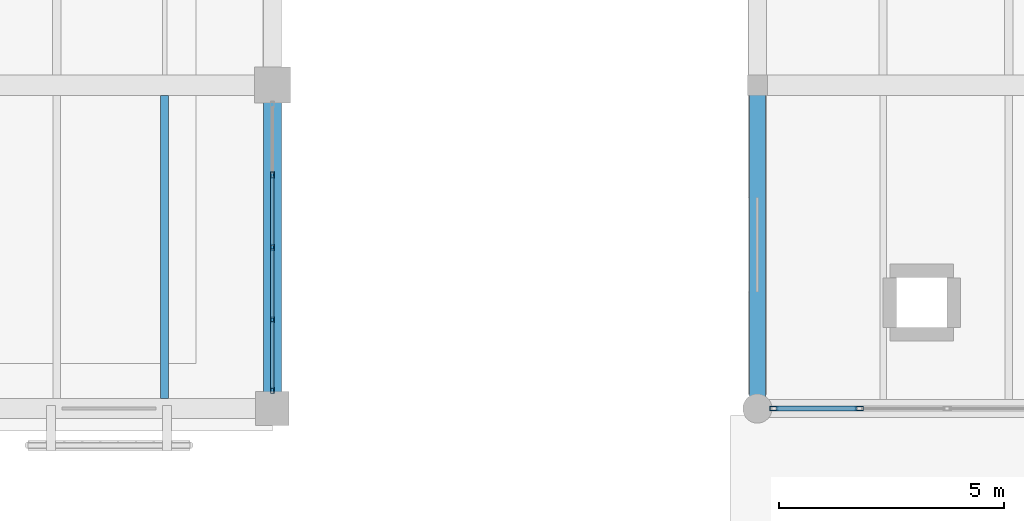
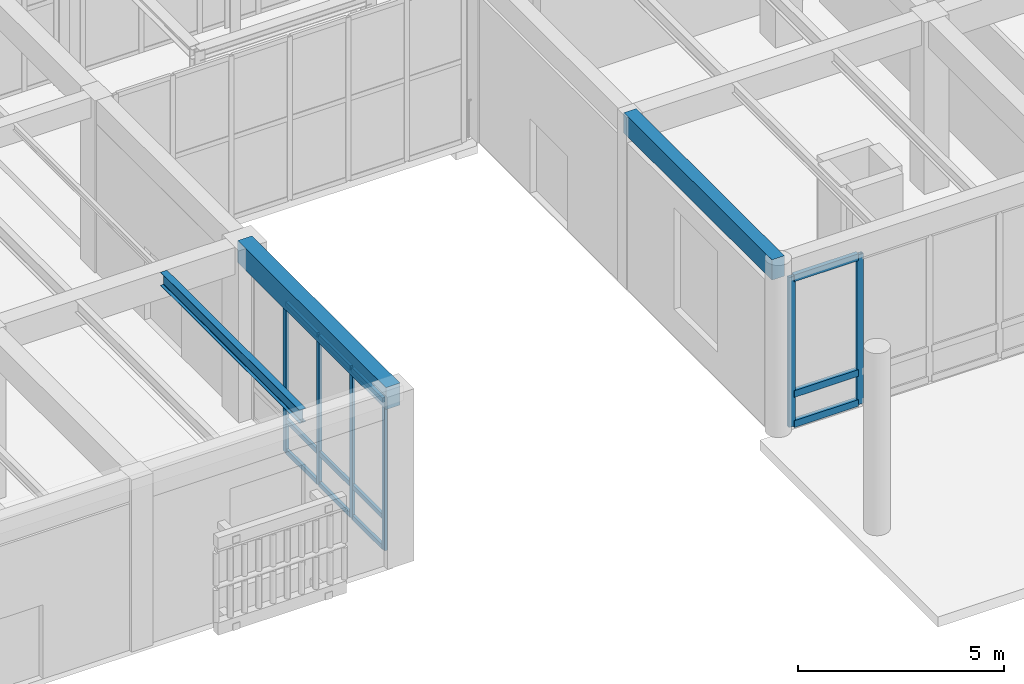
# One storey, part 19 of 169: 18 members, 3 beams, 2 elements without a shape of their own.
"""IFC4 building model written with IfcOpenShell, lengths in metres."""

import ifcopenshell
import ifcopenshell.guid

model = None  # the IFC model being written
_history = None  # IfcOwnerHistory: only IFC2X3 demands one
_inside = {}  # id of a spatial element -> (the spatial element, [elements in it])
_under = {}  # id of a project, library or spatial element -> (it, [spatial elements below it])
_declared = {}  # id of a project -> (the project, [libraries it declares])
_typed = {}  # id of a type object -> (the type object, [elements of that type])
_made_of = {}  # id of a material, layer set ... -> (it, [elements and type objects made of it])


def new_model(schema):
    """Start an empty IFC model of exactly this schema.

    Asked for "IFC4X3", IfcOpenShell would pick the latest addendum, in which some entities
    have other attributes; the version numbers below select the first issue.
    IFC2X3 requires an IfcOwnerHistory on every rooted entity: one is made here for all.
    """
    global model, _history
    if schema == "IFC4X3":
        model = ifcopenshell.file(schema_version=(4, 3, 0, 0))
    else:
        model = ifcopenshell.file(schema=schema)
    _inside.clear()
    _under.clear()
    _declared.clear()
    _typed.clear()
    _made_of.clear()
    _history = None
    if model.schema == "IFC2X3":
        org = make("IfcOrganization", Name="unknown")
        user = make(
            "IfcPersonAndOrganization",
            ThePerson=make("IfcPerson", FamilyName="unknown"),
            TheOrganization=org,
        )
        app = make(
            "IfcApplication",
            ApplicationDeveloper=org,
            Version="unknown",
            ApplicationFullName="unknown",
            ApplicationIdentifier="unknown",
        )
        _history = make(
            "IfcOwnerHistory",
            OwningUser=user,
            OwningApplication=app,
            ChangeAction="ADDED",
            CreationDate=0,
        )
    return model


def make(cls, **values):
    """One entity of the class cls with the attributes given. An attribute that is None is left unset."""
    return model.create_entity(
        cls, **{name: value for name, value in values.items() if value is not None}
    )


def rooted(cls, **values):
    """An entity with a GlobalId (a new one), such as an element, a storey or a relation."""
    return make(cls, GlobalId=ifcopenshell.guid.new(), OwnerHistory=_history, **values)


def si_unit(unit_type, name, prefix=None):
    """IfcSIUnit, for example si_unit("LENGTHUNIT", "METRE", prefix="MILLI")."""
    return make("IfcSIUnit", UnitType=unit_type, Prefix=prefix, Name=name)


def assignment(units):
    """IfcUnitAssignment: the units of a project."""
    return None if units is None else make("IfcUnitAssignment", Units=units)


def point(xyz):
    """IfcCartesianPoint."""
    return None if xyz is None else make("IfcCartesianPoint", Coordinates=xyz)


def direction(xyz):
    """IfcDirection."""
    return None if xyz is None else make("IfcDirection", DirectionRatios=xyz)


def frame(location, z_axis=None, x_axis=None):
    """IfcAxis2Placement3D, a coordinate frame: its origin and axes. An axis left out is left unset."""
    return make(
        "IfcAxis2Placement3D",
        Location=point(location),
        Axis=direction(z_axis),
        RefDirection=direction(x_axis),
    )


def frame_2d(location, x_axis=None):
    """IfcAxis2Placement2D, a coordinate frame in the plane: its origin and x axis."""
    return make(
        "IfcAxis2Placement2D", Location=point(location), RefDirection=direction(x_axis)
    )


def origin():
    """The frame at (0, 0, 0) with its axes left unset."""
    return frame((0.0, 0.0, 0.0))


def origin_2d():
    """The frame at (0, 0) in the plane with its x axis left unset."""
    return frame_2d((0.0, 0.0))


def place(relative_to, where):
    """IfcLocalPlacement: puts the frame where relative to a parent placement (None: the world)."""
    return make(
        "IfcLocalPlacement", PlacementRelTo=relative_to, RelativePlacement=where
    )


def context(
    kind, dimensions, precision=None, world=None, true_north=None, identifier=None
):
    """IfcGeometricRepresentationContext, for example the 3D "Model" context."""
    return make(
        "IfcGeometricRepresentationContext",
        ContextIdentifier=identifier,
        ContextType=kind,
        CoordinateSpaceDimension=dimensions,
        Precision=precision,
        WorldCoordinateSystem=world,
        TrueNorth=true_north,
    )


def subcontext(parent, identifier, kind, view, scale=None):
    """IfcGeometricRepresentationSubContext, for example "Body" below "Model"."""
    return make(
        "IfcGeometricRepresentationSubContext",
        ContextIdentifier=identifier,
        ContextType=kind,
        ParentContext=parent,
        TargetScale=scale,
        TargetView=view,
    )


def project(units=None, contexts=None):
    """IfcProject with its units and contexts."""
    return rooted(
        "IfcProject",
        Name="project",
        RepresentationContexts=contexts,
        UnitsInContext=assignment(units),
    )


def spatial(cls, under=None, at=None, **own):
    """A site, building, storey or space (cls), placed at a placement, below another one or the project."""
    s = rooted(cls, ObjectPlacement=at, **own)
    if under is not None:
        _under.setdefault(under.id(), (under, []))[1].append(s)
    return s


def profile(cls, at=None, kind="AREA", **sizes):
    """A parametric profile (cls). Its sizes go by their IFC names, for example OverallWidth=200.0."""
    return make(cls, ProfileType=kind, Position=at, **sizes)


def rectangle(**sizes):
    """IfcRectangleProfileDef."""
    return profile("IfcRectangleProfileDef", **sizes)


def hollow_rectangle(**sizes):
    """IfcRectangleHollowProfileDef."""
    return profile("IfcRectangleHollowProfileDef", **sizes)


def i_section(**sizes):
    """IfcIShapeProfileDef."""
    return profile("IfcIShapeProfileDef", **sizes)


def extrude(swept, where, along, depth):
    """IfcExtrudedAreaSolid: the profile swept, set in the frame where, extruded along a direction by depth."""
    return make(
        "IfcExtrudedAreaSolid",
        SweptArea=swept,
        Position=where,
        ExtrudedDirection=direction(along),
        Depth=depth,
    )


def shape(context_of_items, identifier, shape_type, items):
    """IfcShapeRepresentation: the items that make up one representation, for example the "Body"."""
    return make(
        "IfcShapeRepresentation",
        ContextOfItems=context_of_items,
        RepresentationIdentifier=identifier,
        RepresentationType=shape_type,
        Items=items,
    )


def material(Name=None, Category=None):
    """IfcMaterial."""
    return make("IfcMaterial", Name=Name, Category=Category)


def layer(
    of_material, thickness, ventilated=None, Name=None, Category=None, Priority=None
):
    """IfcMaterialLayer: one layer of a wall or slab, of a material (None: an air gap)."""
    return make(
        "IfcMaterialLayer",
        Material=of_material,
        LayerThickness=thickness,
        IsVentilated=ventilated,
        Name=Name,
        Category=Category,
        Priority=Priority,
    )


def layer_set(layers, Name=None):
    """IfcMaterialLayerSet."""
    return make("IfcMaterialLayerSet", MaterialLayers=layers, LayerSetName=Name)


def material_profile(
    of_material, cross_section, Name=None, Category=None, Priority=None
):
    """IfcMaterialProfile: a cross section and its material."""
    return make(
        "IfcMaterialProfile",
        Name=Name,
        Material=of_material,
        Profile=cross_section,
        Priority=Priority,
        Category=Category,
    )


def profile_set(profiles, Name=None, composite=None):
    """IfcMaterialProfileSet."""
    return make(
        "IfcMaterialProfileSet",
        Name=Name,
        MaterialProfiles=profiles,
        CompositeProfile=composite,
    )


def made_of(thing, what):
    """Note that an element or type object is made of a material, layer set ...; save() writes the relation."""
    if what is not None:
        _made_of.setdefault(what.id(), (what, []))[1].append(thing)
    return thing


def type_object(cls, material=None, **own):
    """A type object (cls), such as IfcWallType, which elements share."""
    return made_of(rooted(cls, **own), material)


def element(
    cls,
    number,
    at=None,
    inside=None,
    cuts=None,
    type_object=None,
    material=None,
    context=None,
    identifier="Body",
    shape_type=None,
    held_by="IfcProductDefinitionShape",
    body=None,
    shapes=None,
    **own,
):
    """One element of the class cls, such as IfcWall. Its Tag is "e" and its number.

    at: its placement. inside: the storey or other place that contains it. cuts: it is an
    opening in that element (IfcRelVoidsElement). A single representation is given by context,
    identifier, shape_type and body (its items); several are given by shapes. held_by: the class
    of the entity that holds the representations. save() writes the other relations.
    """
    e = rooted(cls, Tag="e%d" % number, ObjectPlacement=at, **own)
    if body is not None:
        shapes = [shape(context, identifier, shape_type, body)]
    if shapes is not None:
        e.Representation = make(held_by, Representations=shapes)
    if inside is not None:
        _inside.setdefault(inside.id(), (inside, []))[1].append(e)
    if cuts is not None:
        rooted(
            "IfcRelVoidsElement", RelatingBuildingElement=cuts, RelatedOpeningElement=e
        )
    if type_object is not None:
        _typed.setdefault(type_object.id(), (type_object, []))[1].append(e)
    return made_of(e, material)


def aggregate(whole, parts):
    """IfcRelAggregates: a whole, such as a stair, and the parts it consists of."""
    return rooted("IfcRelAggregates", RelatingObject=whole, RelatedObjects=parts)


def save(model, path):
    """Write the relations noted so far, then the file.

    IfcRelAggregates (storeys below a building ...), IfcRelContainedInSpatialStructure (elements
    in a storey), IfcRelDefinesByType, IfcRelAssociatesMaterial and IfcRelDeclares: one each for
    every whole, place, type object, material and project.
    """
    for whole, parts in _under.values():
        aggregate(whole, parts)
    for where, things in _inside.values():
        rooted(
            "IfcRelContainedInSpatialStructure",
            RelatedElements=things,
            RelatingStructure=where,
        )
    for kind, things in _typed.values():
        rooted("IfcRelDefinesByType", RelatedObjects=things, RelatingType=kind)
    for what, things in _made_of.values():
        rooted("IfcRelAssociatesMaterial", RelatedObjects=things, RelatingMaterial=what)
    for by, libraries in _declared.values():
        rooted("IfcRelDeclares", RelatingContext=by, RelatedDefinitions=libraries)
    model.write(path)


model = new_model("IFC4")

# Units and contexts
model_context = context("Model", 3, precision=1e-05, world=origin(), true_north=direction((0.0, 1.0)))
body_context = subcontext(model_context, "Body", "Model", "MODEL_VIEW")
ifc_project = project(units=[si_unit("LENGTHUNIT", "METRE"), si_unit("AREAUNIT", "SQUARE_METRE"), si_unit("VOLUMEUNIT", "CUBIC_METRE"), si_unit("PLANEANGLEUNIT", "RADIAN"), si_unit("MASSUNIT", "GRAM", prefix="KILO")], contexts=[model_context])

# Site, building, storey
site_placement = place(None, origin())
site = spatial("IfcSite", under=ifc_project, at=site_placement, CompositionType="ELEMENT")
building_placement = place(site_placement, origin())
building = spatial("IfcBuilding", under=site, at=building_placement, Name="Mazaris Harbour Polytechnic", CompositionType="ELEMENT")
storey_placement = place(building_placement, origin())
storey = spatial("IfcBuildingStorey", under=building, at=storey_placement, Name="L00", CompositionType="ELEMENT", Elevation=0.0)

# Curtain wall, members
ifc_material_1 = material(Name="Anodised Bronze Aluminium and Low-E Glass", Category="aluminium")
ifc_layer_1 = layer(ifc_material_1, 0.179931640625, Name="Anodised Bronze Aluminium and Low-E Glass")
ifc_layer_set_1 = layer_set([ifc_layer_1], Name="Anodised Bronze Aluminium and Low-E Glass")
curtain_wall_type_1 = type_object("IfcCurtainWallType", Name="Harbour Colonnade Curtain Wall", PredefinedType="NOTDEFINED", material=ifc_layer_set_1)
curtain_wall_1_placement = place(storey_placement, origin())
curtain_wall_1 = element("IfcCurtainWall", 1, at=curtain_wall_1_placement, inside=storey, type_object=curtain_wall_type_1, Name="V3 L00 Curtain Wall 60", PredefinedType="NOTDEFINED")
ifc_material_2 = material(Name="Anodised Bronze Steel S355", Category="steel")
ifc_material_profile_1 = material_profile(ifc_material_2, hollow_rectangle(XDim=0.10009765625, YDim=0.179931640625, WallThickness=0.008056640625, at=origin_2d()), Name="RHS 100x180x8.0")
ifc_profile_set_1 = profile_set([ifc_material_profile_1], Name="Anodised Bronze Steel S355")
member_type_1 = type_object("IfcMemberType", Name="Curtain Mullion RHS100x180", PredefinedType="MULLION", material=ifc_profile_set_1)
member_1_placement = place(storey_placement, frame((56.27099609375, 7.199951171875, 0.0), z_axis=(0.0, 0.0, 1.0), x_axis=(0.0, -1.0, 0.0)))
member_1 = element("IfcMember", 2, at=member_1_placement, type_object=member_type_1, Name="CW-01 mullion 4", PredefinedType="MULLION", context=body_context, shape_type="SweptSolid", body=[
    extrude(hollow_rectangle(XDim=0.10009765625, YDim=0.179931640625, WallThickness=0.008056640625, at=origin_2d()), origin(), (0.0, 0.0, 1.0), 4.43994140625),
])
member_2_placement = place(storey_placement, frame((54.366943359375, 7.199951171875, 0.0), z_axis=(0.0, 0.0, 1.0), x_axis=(0.0, -1.0, 0.0)))
member_2 = element("IfcMember", 3, at=member_2_placement, type_object=member_type_1, Name="CW-01 mullion 5", PredefinedType="MULLION", context=body_context, shape_type="SweptSolid", body=[
    extrude(hollow_rectangle(XDim=0.10009765625, YDim=0.179931640625, WallThickness=0.008056640625, at=origin_2d()), origin(), (0.0, 0.0, 1.0), 4.43994140625),
])

ifc_material_3 = material(Name="Anodised Bronze Aluminium and Low-E Glass", Category="aluminium")
ifc_layer_2 = layer(ifc_material_3, 0.159912109375, Name="Anodised Bronze Aluminium and Low-E Glass")
ifc_layer_set_2 = layer_set([ifc_layer_2], Name="Anodised Bronze Aluminium and Low-E Glass")
curtain_wall_type_2 = type_object("IfcCurtainWallType", Name="Cloister Court Curtain Wall", PredefinedType="NOTDEFINED", material=ifc_layer_set_2)
curtain_wall_2_placement = place(storey_placement, origin())
curtain_wall_2 = element("IfcCurtainWall", 4, at=curtain_wall_2_placement, inside=storey, type_object=curtain_wall_type_2, Name="V4 L00 Curtain Wall 95", PredefinedType="NOTDEFINED")
ifc_material_4 = material(Name="Anodised Bronze Steel S355", Category="steel")
ifc_material_profile_2 = material_profile(ifc_material_4, hollow_rectangle(XDim=0.080078125, YDim=0.139892578125, WallThickness=0.00634765625, at=origin_2d()), Name="RHS 80x140x6.3")
ifc_profile_set_2 = profile_set([ifc_material_profile_2], Name="Anodised Bronze Steel S355")
member_type_2 = type_object("IfcMemberType", Name="Curtain Mullion RHS80x140", PredefinedType="MULLION", material=ifc_profile_set_2)
member_3_placement = place(storey_placement, frame((43.199951171875, 12.397705078125, 0.0), z_axis=(0.0, 0.0, 1.0), x_axis=(1.0, 0.0, 0.0)))
member_3 = element("IfcMember", 5, at=member_3_placement, type_object=member_type_2, Name="CW-02 mullion 2", PredefinedType="MULLION", context=body_context, shape_type="SweptSolid", body=[
    extrude(hollow_rectangle(XDim=0.080078125, YDim=0.139892578125, WallThickness=0.00634765625, at=origin_2d()), origin(), (0.0, 0.0, 1.0), 4.43994140625),
])
member_4_placement = place(storey_placement, frame((43.199951171875, 10.78759765625, 0.0), z_axis=(0.0, 0.0, 1.0), x_axis=(1.0, 0.0, 0.0)))
member_4 = element("IfcMember", 6, at=member_4_placement, type_object=member_type_2, Name="CW-02 mullion 3", PredefinedType="MULLION", context=body_context, shape_type="SweptSolid", body=[
    extrude(hollow_rectangle(XDim=0.080078125, YDim=0.139892578125, WallThickness=0.00634765625, at=origin_2d()), origin(), (0.0, 0.0, 1.0), 4.43994140625),
])
member_5_placement = place(storey_placement, frame((43.199951171875, 9.17724609375, 0.0), z_axis=(0.0, 0.0, 1.0), x_axis=(1.0, 0.0, 0.0)))
member_5 = element("IfcMember", 7, at=member_5_placement, type_object=member_type_2, Name="CW-02 mullion 4", PredefinedType="MULLION", context=body_context, shape_type="SweptSolid", body=[
    extrude(hollow_rectangle(XDim=0.080078125, YDim=0.139892578125, WallThickness=0.00634765625, at=origin_2d()), origin(), (0.0, 0.0, 1.0), 4.43994140625),
])
member_6_placement = place(storey_placement, frame((43.199951171875, 7.60693359375, 0.0), z_axis=(0.0, 0.0, 1.0), x_axis=(1.0, 0.0, 0.0)))
member_6 = element("IfcMember", 8, at=member_6_placement, type_object=member_type_2, Name="CW-02 mullion 5", PredefinedType="MULLION", context=body_context, shape_type="SweptSolid", body=[
    extrude(hollow_rectangle(XDim=0.080078125, YDim=0.139892578125, WallThickness=0.00634765625, at=origin_2d()), origin(), (0.0, 0.0, 1.0), 4.43994140625),
])

# Member
ifc_material_5 = material(Name="Anodised Bronze Steel S355", Category="steel")
ifc_material_profile_3 = material_profile(ifc_material_5, hollow_rectangle(XDim=0.1201171875, YDim=0.199951171875, WallThickness=0.008056640625, at=origin_2d()), Name="RHS 120x200x8.0")
ifc_profile_set_3 = profile_set([ifc_material_profile_3], Name="Anodised Bronze Steel S355")
member_type_3 = type_object("IfcMemberType", Name="Curtain Transom RHS120x200", PredefinedType="USERDEFINED", material=ifc_profile_set_3)
member_7_placement = place(storey_placement, frame((56.220947265625, 7.199951171875, 0.06005859375), z_axis=(-1.0, 0.0, 0.0), x_axis=(0.0, -1.0, 0.0)))
member_7 = element("IfcMember", 9, at=member_7_placement, type_object=member_type_3, Name="CW-01 transom 4.1", ObjectType="TRANSOM", PredefinedType="USERDEFINED", context=body_context, shape_type="SweptSolid", body=[
    extrude(hollow_rectangle(XDim=0.1201171875, YDim=0.199951171875, WallThickness=0.008056640625, at=origin_2d()), origin(), (0.0, 0.0, 1.0), 1.803955078125),
])

member_8_placement = place(storey_placement, frame((56.220947265625, 7.199951171875, 0.949951171875), z_axis=(-1.0, 0.0, 0.0), x_axis=(0.0, -1.0, 0.0)))
member_8 = element("IfcMember", 10, at=member_8_placement, type_object=member_type_3, Name="CW-01 transom 4.2", ObjectType="TRANSOM", PredefinedType="USERDEFINED", context=body_context, shape_type="SweptSolid", body=[
    extrude(hollow_rectangle(XDim=0.1201171875, YDim=0.199951171875, WallThickness=0.008056640625, at=origin_2d()), origin(), (0.0, 0.0, 1.0), 1.803955078125),
])

member_9_placement = place(storey_placement, frame((56.220947265625, 7.199951171875, 4.3798828125), z_axis=(-1.0, 0.0, 0.0), x_axis=(0.0, -1.0, 0.0)))
member_9 = element("IfcMember", 11, at=member_9_placement, type_object=member_type_3, Name="CW-01 transom 4.3", ObjectType="TRANSOM", PredefinedType="USERDEFINED", context=body_context, shape_type="SweptSolid", body=[
    extrude(hollow_rectangle(XDim=0.1201171875, YDim=0.199951171875, WallThickness=0.008056640625, at=origin_2d()), origin(), (0.0, 0.0, 1.0), 1.803955078125),
])

aggregate(curtain_wall_1, [member_1, member_2, member_7, member_8, member_9])

ifc_material_6 = material(Name="Anodised Bronze Steel S355", Category="steel")
ifc_material_profile_4 = material_profile(ifc_material_6, hollow_rectangle(XDim=0.080078125, YDim=0.139892578125, WallThickness=0.00634765625, at=origin_2d()), Name="RHS 80x140x6.3")
ifc_profile_set_4 = profile_set([ifc_material_profile_4], Name="Anodised Bronze Steel S355")
member_type_4 = type_object("IfcMemberType", Name="Curtain Transom RHS80x140", PredefinedType="USERDEFINED", material=ifc_profile_set_4)
member_10_placement = place(storey_placement, frame((43.199951171875, 12.357666015625, 0.0400390625), z_axis=(0.0, -1.0, 0.0), x_axis=(1.0, 0.0, 0.0)))
member_10 = element("IfcMember", 12, at=member_10_placement, type_object=member_type_4, Name="CW-02 transom 2.1", ObjectType="TRANSOM", PredefinedType="USERDEFINED", context=body_context, shape_type="SweptSolid", body=[
    extrude(hollow_rectangle(XDim=0.080078125, YDim=0.139892578125, WallThickness=0.00634765625, at=origin_2d()), origin(), (0.0, 0.0, 1.0), 1.5302734375),
])

member_11_placement = place(storey_placement, frame((43.199951171875, 12.357666015625, 0.949951171875), z_axis=(0.0, -1.0, 0.0), x_axis=(1.0, 0.0, 0.0)))
member_11 = element("IfcMember", 13, at=member_11_placement, type_object=member_type_4, Name="CW-02 transom 2.2", ObjectType="TRANSOM", PredefinedType="USERDEFINED", context=body_context, shape_type="SweptSolid", body=[
    extrude(hollow_rectangle(XDim=0.080078125, YDim=0.139892578125, WallThickness=0.00634765625, at=origin_2d()), origin(), (0.0, 0.0, 1.0), 1.5302734375),
])

member_12_placement = place(storey_placement, frame((43.199951171875, 12.357666015625, 4.39990234375), z_axis=(0.0, -1.0, 0.0), x_axis=(1.0, 0.0, 0.0)))
member_12 = element("IfcMember", 14, at=member_12_placement, type_object=member_type_4, Name="CW-02 transom 2.3", ObjectType="TRANSOM", PredefinedType="USERDEFINED", context=body_context, shape_type="SweptSolid", body=[
    extrude(hollow_rectangle(XDim=0.080078125, YDim=0.139892578125, WallThickness=0.00634765625, at=origin_2d()), origin(), (0.0, 0.0, 1.0), 1.5302734375),
])

member_13_placement = place(storey_placement, frame((43.199951171875, 10.74755859375, 0.0400390625), z_axis=(0.0, -1.0, 0.0), x_axis=(1.0, 0.0, 0.0)))
member_13 = element("IfcMember", 15, at=member_13_placement, type_object=member_type_4, Name="CW-02 transom 3.1", ObjectType="TRANSOM", PredefinedType="USERDEFINED", context=body_context, shape_type="SweptSolid", body=[
    extrude(hollow_rectangle(XDim=0.080078125, YDim=0.139892578125, WallThickness=0.00634765625, at=origin_2d()), origin(), (0.0, 0.0, 1.0), 1.5302734375),
])

member_14_placement = place(storey_placement, frame((43.199951171875, 10.74755859375, 0.949951171875), z_axis=(0.0, -1.0, 0.0), x_axis=(1.0, 0.0, 0.0)))
member_14 = element("IfcMember", 16, at=member_14_placement, type_object=member_type_4, Name="CW-02 transom 3.2", ObjectType="TRANSOM", PredefinedType="USERDEFINED", context=body_context, shape_type="SweptSolid", body=[
    extrude(hollow_rectangle(XDim=0.080078125, YDim=0.139892578125, WallThickness=0.00634765625, at=origin_2d()), origin(), (0.0, 0.0, 1.0), 1.5302734375),
])

member_15_placement = place(storey_placement, frame((43.199951171875, 10.74755859375, 4.39990234375), z_axis=(0.0, -1.0, 0.0), x_axis=(1.0, 0.0, 0.0)))
member_15 = element("IfcMember", 17, at=member_15_placement, type_object=member_type_4, Name="CW-02 transom 3.3", ObjectType="TRANSOM", PredefinedType="USERDEFINED", context=body_context, shape_type="SweptSolid", body=[
    extrude(hollow_rectangle(XDim=0.080078125, YDim=0.139892578125, WallThickness=0.00634765625, at=origin_2d()), origin(), (0.0, 0.0, 1.0), 1.5302734375),
])

member_16_placement = place(storey_placement, frame((43.199951171875, 9.13720703125, 0.0400390625), z_axis=(0.0, -1.0, 0.0), x_axis=(1.0, 0.0, 0.0)))
member_16 = element("IfcMember", 18, at=member_16_placement, type_object=member_type_4, Name="CW-02 transom 4.1", ObjectType="TRANSOM", PredefinedType="USERDEFINED", context=body_context, shape_type="SweptSolid", body=[
    extrude(hollow_rectangle(XDim=0.080078125, YDim=0.139892578125, WallThickness=0.00634765625, at=origin_2d()), origin(), (0.0, 0.0, 1.0), 1.490234375),
])

member_17_placement = place(storey_placement, frame((43.199951171875, 9.13720703125, 0.949951171875), z_axis=(0.0, -1.0, 0.0), x_axis=(1.0, 0.0, 0.0)))
member_17 = element("IfcMember", 19, at=member_17_placement, type_object=member_type_4, Name="CW-02 transom 4.2", ObjectType="TRANSOM", PredefinedType="USERDEFINED", context=body_context, shape_type="SweptSolid", body=[
    extrude(hollow_rectangle(XDim=0.080078125, YDim=0.139892578125, WallThickness=0.00634765625, at=origin_2d()), origin(), (0.0, 0.0, 1.0), 1.490234375),
])

member_18_placement = place(storey_placement, frame((43.199951171875, 9.13720703125, 4.39990234375), z_axis=(0.0, -1.0, 0.0), x_axis=(1.0, 0.0, 0.0)))
member_18 = element("IfcMember", 20, at=member_18_placement, type_object=member_type_4, Name="CW-02 transom 4.3", ObjectType="TRANSOM", PredefinedType="USERDEFINED", context=body_context, shape_type="SweptSolid", body=[
    extrude(hollow_rectangle(XDim=0.080078125, YDim=0.139892578125, WallThickness=0.00634765625, at=origin_2d()), origin(), (0.0, 0.0, 1.0), 1.490234375),
])

aggregate(curtain_wall_2, [member_3, member_4, member_5, member_6, member_10, member_11, member_12, member_13, member_14, member_15, member_16, member_17, member_18])

# Beams
ifc_material_7 = material(Name="Concrete C35/45", Category="concrete")
ifc_material_profile_5 = material_profile(ifc_material_7, rectangle(XDim=0.35009765625, YDim=0.60009765625, at=origin_2d()), Name="RECT350x600")
ifc_profile_set_5 = profile_set([ifc_material_profile_5], Name="Concrete C35/45")
beam_type_1 = type_object("IfcBeamType", Name="RC Girder 350x600 Exterior", PredefinedType="BEAM", material=ifc_profile_set_5)
beam_1_placement = place(storey_placement, frame((54.0, 7.199951171875, 4.800048828125), z_axis=(0.0, 1.0, 0.0), x_axis=(-1.0, 0.0, 0.0)))
element("IfcBeam", 21, at=beam_1_placement, inside=storey, type_object=beam_type_1, Name="V3 L00 Tie Girder 890", PredefinedType="BEAM", context=body_context, shape_type="SweptSolid", body=[
    extrude(rectangle(XDim=0.35009765625, YDim=0.60009765625, at=origin_2d()), origin(), (0.0, 0.0, 1.0), 7.199951171875),
])
ifc_material_8 = material(Name="Concrete C35/45", Category="concrete")
ifc_material_profile_6 = material_profile(ifc_material_8, rectangle(XDim=0.39990234375, YDim=0.64990234375, at=origin_2d()), Name="RECT400x650")
ifc_profile_set_6 = profile_set([ifc_material_profile_6], Name="Concrete C35/45")
beam_type_2 = type_object("IfcBeamType", Name="RC Girder 400x650 Exterior", PredefinedType="BEAM", material=ifc_profile_set_6)
beam_2_placement = place(storey_placement, frame((43.199951171875, 7.199951171875, 4.77490234375), z_axis=(0.0, 1.0, 0.0), x_axis=(-1.0, 0.0, 0.0)))
element("IfcBeam", 22, at=beam_2_placement, inside=storey, type_object=beam_type_2, Name="V4 L00 Tie Girder 1491", PredefinedType="BEAM", context=body_context, shape_type="SweptSolid", body=[
    extrude(rectangle(XDim=0.39990234375, YDim=0.64990234375, at=origin_2d()), origin(), (0.0, 0.0, 1.0), 7.199951171875),
])
ifc_material_9 = material(Name="Steel S355", Category="steel")
ifc_material_profile_7 = material_profile(ifc_material_9, i_section(OverallWidth=0.179931640625, OverallDepth=0.39990234375, WebThickness=0.008544921875, FlangeThickness=0.013427734375, FilletRadius=0.02099609375, at=origin_2d()), Name="IPE 400")
ifc_profile_set_7 = profile_set([ifc_material_profile_7], Name="Steel S355")
beam_type_3 = type_object("IfcBeamType", Name="Steel Joist IPE400", PredefinedType="JOIST", material=ifc_profile_set_7)
beam_3_placement = place(storey_placement, frame((40.800048828125, 7.425048828125, 4.89990234375), z_axis=(0.0, 1.0, 0.0), x_axis=(-1.0, 0.0, 0.0)))
element("IfcBeam", 23, at=beam_3_placement, inside=storey, type_object=beam_type_3, Name="V4 L00 Floor Joist 1601", PredefinedType="JOIST", context=body_context, shape_type="SweptSolid", body=[
    extrude(i_section(OverallWidth=0.179931640625, OverallDepth=0.39990234375, WebThickness=0.008544921875, FlangeThickness=0.013427734375, FilletRadius=0.02099609375, at=origin_2d()), origin(), (0.0, 0.0, 1.0), 6.75),
])

save(model, "model.ifc")
